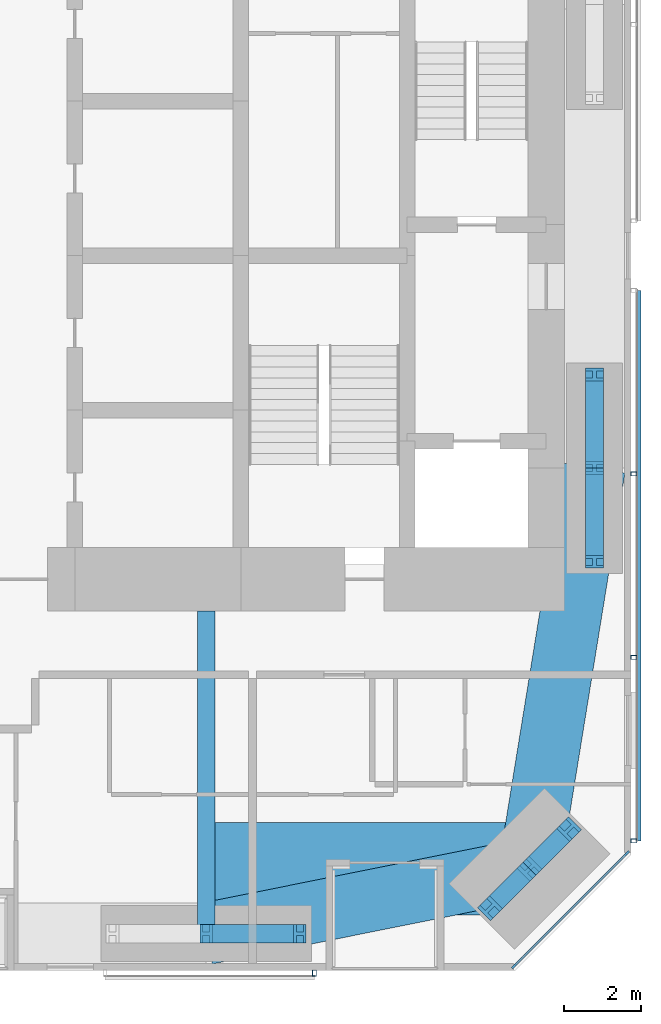
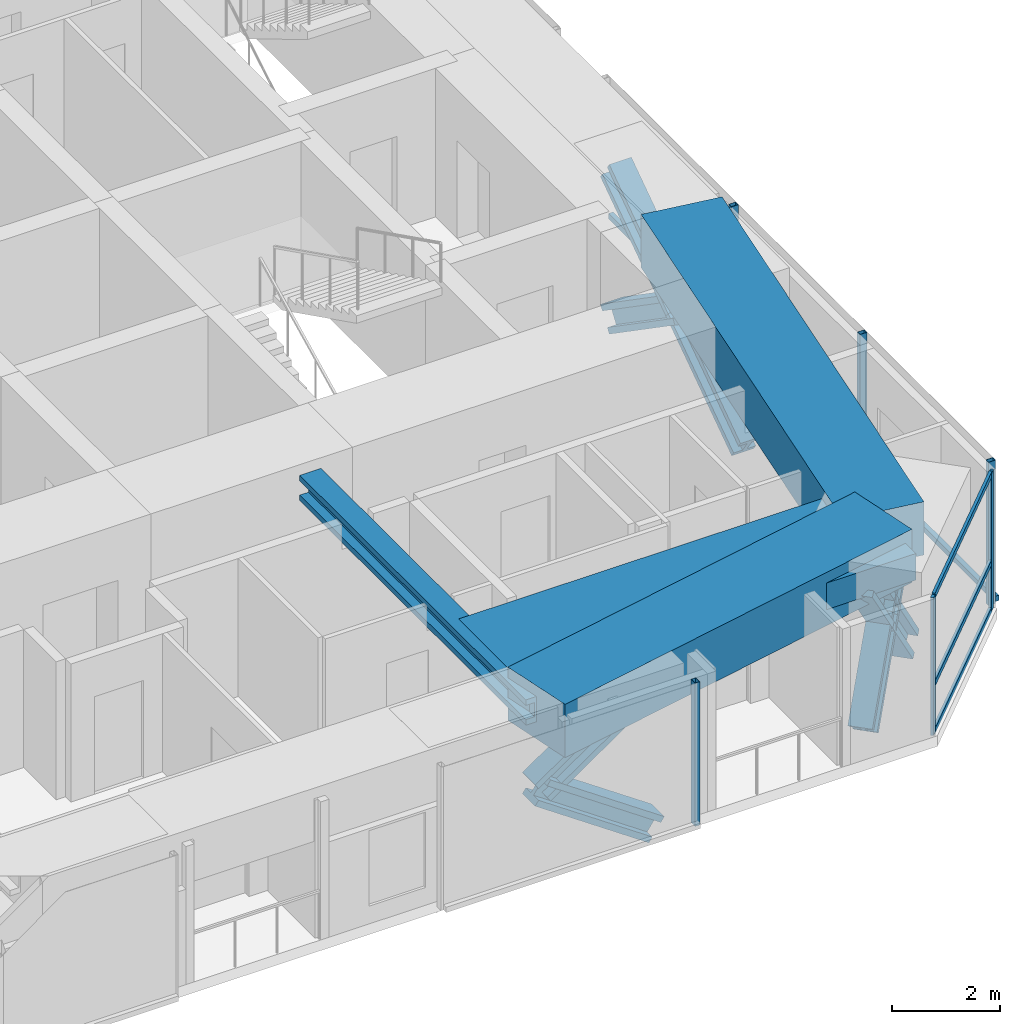
# One storey, part 8 of 23: 20 members, 4 beams, 3 elements without a shape of their own.
"""IFC4 building model written with IfcOpenShell, lengths in metres."""

from ifc_helpers import new_model, si_unit, direction, frame, origin, origin_2d, place, context, subcontext, project, spatial, rectangle, hollow_rectangle, i_section, extrude, material, material_profile, profile_set, type_object, element, aggregate, save


model = new_model("IFC4")

# Units and contexts
model_context = context("Model", 3, precision=1e-05, world=origin(), true_north=direction((0.0, 1.0)))
body_context = subcontext(model_context, "Body", "Model", "MODEL_VIEW")
ifc_project = project(units=[si_unit("LENGTHUNIT", "METRE"), si_unit("AREAUNIT", "SQUARE_METRE"), si_unit("VOLUMEUNIT", "CUBIC_METRE"), si_unit("PLANEANGLEUNIT", "RADIAN"), si_unit("MASSUNIT", "GRAM", prefix="KILO")], contexts=[model_context])

# Site, building, storey
site_placement = place(None, origin())
site = spatial("IfcSite", under=ifc_project, at=site_placement, CompositionType="ELEMENT")
building_placement = place(site_placement, origin())
building = spatial("IfcBuilding", under=site, at=building_placement, Name="Jalousie Tower", CompositionType="ELEMENT")
storey_placement = place(building_placement, frame((0.0, 0.0, 37.75)))
storey = spatial("IfcBuildingStorey", under=building, at=storey_placement, Name="L09", CompositionType="ELEMENT", Elevation=37.75)

# Curtain wall, members
ifc_material_1 = material(Name="Aluminium curtain wall", Category="aluminium")
curtain_wall_type_1 = type_object("IfcCurtainWallType", Name="CORNER WINDOW WALL", PredefinedType="USERDEFINED", material=ifc_material_1)
curtain_wall_1_placement = place(storey_placement, origin())
curtain_wall_1 = element("IfcCurtainWall", 1, at=curtain_wall_1_placement, inside=storey, type_object=curtain_wall_type_1, Name="Corner Window Wall L09 2", ObjectType="CORNER WINDOW WALL", PredefinedType="USERDEFINED")
ifc_material_2 = material(Name="Aluminium mullion", Category="aluminium")
ifc_material_profile_1 = material_profile(ifc_material_2, rectangle(XDim=0.06005859375, YDim=0.14990234375, at=origin_2d()), Name="MULLION 60x150")
ifc_profile_set_1 = profile_set([ifc_material_profile_1], Name="Aluminium mullion")
member_type_1 = type_object("IfcMemberType", Name="CORNER WINDOW WALL MULLION", PredefinedType="MULLION", material=ifc_profile_set_1)
member_1_placement = place(storey_placement, frame((42.969970703125, 0.108642578125, 0.0), z_axis=(0.0, 0.0, 1.0), x_axis=(-0.707106781187, 0.707106781187, 0.0)))
member_1 = element("IfcMember", 2, at=member_1_placement, type_object=member_type_1, Name="CW-C mullion 1", PredefinedType="MULLION", context=body_context, shape_type="SweptSolid", body=[
    extrude(rectangle(XDim=0.06005859375, YDim=0.14990234375, at=origin_2d()), origin(), (0.0, 0.0, 1.0), 3.110107421875),
])
member_2_placement = place(storey_placement, frame((45.891357421875, 3.030029296875, 0.0), z_axis=(0.0, 0.0, 1.0), x_axis=(-0.707106781187, 0.707106781187, 0.0)))
member_2 = element("IfcMember", 3, at=member_2_placement, type_object=member_type_1, Name="CW-C mullion 2", PredefinedType="MULLION", context=body_context, shape_type="SweptSolid", body=[
    extrude(rectangle(XDim=0.06005859375, YDim=0.14990234375, at=origin_2d()), origin(), (0.0, 0.0, 1.0), 3.110107421875),
])
ifc_material_3 = material(Name="Aluminium transom", Category="aluminium")
ifc_material_profile_2 = material_profile(ifc_material_3, rectangle(XDim=0.06005859375, YDim=0.1201171875, at=origin_2d()), Name="TRANSOM 60x120")
ifc_profile_set_2 = profile_set([ifc_material_profile_2], Name="Aluminium transom")
member_type_2 = type_object("IfcMemberType", Name="CORNER WINDOW WALL TRANSOM", PredefinedType="USERDEFINED", material=ifc_profile_set_2)
member_3_placement = place(storey_placement, frame((42.9912109375, 0.1298828125, 0.030029296875), z_axis=(0.707106781187, 0.707106781187, 0.0), x_axis=(-0.707106781187, 0.707106781187, 0.0)))
member_3 = element("IfcMember", 4, at=member_3_placement, type_object=member_type_2, Name="CW-C transom 1.1", ObjectType="TRANSOM", PredefinedType="USERDEFINED", context=body_context, shape_type="SweptSolid", body=[
    extrude(rectangle(XDim=0.06005859375, YDim=0.1201171875, at=origin_2d()), origin(), (0.0, 0.0, 1.0), 4.0712890625),
])
member_4_placement = place(storey_placement, frame((42.9912109375, 0.1298828125, 1.10009765625), z_axis=(0.707106781187, 0.707106781187, 0.0), x_axis=(-0.707106781187, 0.707106781187, 0.0)))
member_4 = element("IfcMember", 5, at=member_4_placement, type_object=member_type_2, Name="CW-C transom 1.2", ObjectType="TRANSOM", PredefinedType="USERDEFINED", context=body_context, shape_type="SweptSolid", body=[
    extrude(rectangle(XDim=0.06005859375, YDim=0.1201171875, at=origin_2d()), origin(), (0.0, 0.0, 1.0), 4.0712890625),
])
member_5_placement = place(storey_placement, frame((42.9912109375, 0.1298828125, 3.080078125), z_axis=(0.707106781187, 0.707106781187, 0.0), x_axis=(-0.707106781187, 0.707106781187, 0.0)))
member_5 = element("IfcMember", 6, at=member_5_placement, type_object=member_type_2, Name="CW-C transom 1.3", ObjectType="TRANSOM", PredefinedType="USERDEFINED", context=body_context, shape_type="SweptSolid", body=[
    extrude(rectangle(XDim=0.06005859375, YDim=0.1201171875, at=origin_2d()), origin(), (0.0, 0.0, 1.0), 4.0712890625),
])
aggregate(curtain_wall_1, [member_1, member_2, member_3, member_4, member_5])

# Beam
ifc_material_4 = material(Name="Steel ASTM A992 Grade 50", Category="steel")
ifc_material_profile_3 = material_profile(ifc_material_4, i_section(OverallWidth=0.45458984375, OverallDepth=0.569091796875, WebThickness=0.077880859375, FlangeThickness=0.124755859375, at=origin_2d()), Name="W14X730")
ifc_profile_set_3 = profile_set([ifc_material_profile_3], Name="Steel ASTM A992 Grade 50")
beam_type_1 = type_object("IfcBeamType", Name="LEAN COLLECTOR W14X730", PredefinedType="BEAM", material=ifc_profile_set_3)
beam_1_placement = place(storey_placement, frame((35.0, 0.949951171875, 2.825439453125), z_axis=(0.0, 1.0, 0.0), x_axis=(-1.0, 0.0, 0.0)))
element("IfcBeam", 7, at=beam_1_placement, inside=storey, type_object=beam_type_1, Name="Lean collector under L10", PredefinedType="BEAM", context=body_context, shape_type="SweptSolid", body=[
    extrude(i_section(OverallWidth=0.45458984375, OverallDepth=0.569091796875, WebThickness=0.077880859375, FlangeThickness=0.124755859375, at=origin_2d()), origin(), (0.0, 0.0, 1.0), 8.35009765625),
])

# Members
ifc_material_5 = material(Name="Steel ASTM A992 Grade 50", Category="steel")
ifc_material_profile_4 = material_profile(ifc_material_5, i_section(OverallWidth=0.472412109375, OverallDepth=0.5791015625, WebThickness=0.094970703125, FlangeThickness=0.1298828125, at=origin_2d()), Name="W14X808")
ifc_profile_set_4 = profile_set([ifc_material_profile_4], Name="Steel ASTM A992 Grade 50")
member_type_3 = type_object("IfcMemberType", Name="PERIMETER BRACE W14X808", PredefinedType="BRACE", material=ifc_profile_set_4)
for number, where, z_axis, x_axis, name in (
    (8, (35.0, 0.949951171875, 1.074951171875), (0.822800062329, 0.0, 0.568330940062), (0.0, 1.0, 0.0), "Perimeter brace 04 L09 part 2"),
    (9, (37.425048828125, 0.949951171875, -0.60009765625), (-0.822800062329, 0.0, 0.568330940062), (0.0, -1.0, 0.0), "Perimeter brace 04 L09 part 3"),
):
    element("IfcMember", number, at=place(storey_placement, frame(where, z_axis=z_axis, x_axis=x_axis)), inside=storey, type_object=member_type_3, Name=name, PredefinedType="BRACE", context=body_context, shape_type="SweptSolid", body=[
        extrude(i_section(OverallWidth=0.472412109375, OverallDepth=0.5791015625, WebThickness=0.094970703125, FlangeThickness=0.1298828125, at=origin_2d()), origin(), (0.0, 0.0, 1.0), 2.947265625),
    ])
for number, where, z_axis, x_axis, name in (
    (10, (42.34326171875, 1.606201171875, -0.60009765625), (0.462839993852, 0.462729793854, 0.756082189957), (-0.707022586774, 0.707190965575, 0.0), "Perimeter brace 05 L09 part 1"),
    (11, (43.36865234375, 2.63134765625, 1.074951171875), (0.462729793854, 0.462839993852, 0.756082189957), (-0.707190965575, 0.707022586774, 0.0), "Perimeter brace 05 L09 part 2"),
    (12, (44.393798828125, 3.65673828125, -0.60009765625), (-0.462729793854, -0.462839993852, 0.756082189957), (0.707190965575, -0.707022586774, 0.0), "Perimeter brace 05 L09 part 3"),
    (13, (43.36865234375, 2.63134765625, 1.074951171875), (-0.462839993852, -0.462729793854, 0.756082189957), (0.707022586774, -0.707190965575, 0.0), "Perimeter brace 05 L09 part 4"),
):
    element("IfcMember", number, at=place(storey_placement, frame(where, z_axis=z_axis, x_axis=x_axis)), inside=storey, type_object=member_type_3, Name=name, PredefinedType="BRACE", context=body_context, shape_type="SweptSolid", body=[
        extrude(i_section(OverallWidth=0.472412109375, OverallDepth=0.5791015625, WebThickness=0.094970703125, FlangeThickness=0.1298828125, at=origin_2d()), origin(), (0.0, 0.0, 1.0), 2.21533203125),
    ])
for number, where, z_axis, x_axis, name in (
    (14, (45.050048828125, 10.574951171875, -0.60009765625), (0.0, 0.822800062329, 0.568330940062), (-1.0, 0.0, 0.0), "Perimeter brace 06 L09 part 1"),
    (15, (45.050048828125, 13.0, 1.074951171875), (0.0, 0.822800062329, 0.568330940062), (-1.0, 0.0, 0.0), "Perimeter brace 06 L09 part 2"),
    (16, (45.050048828125, 15.425048828125, -0.60009765625), (0.0, -0.822800062329, 0.568330940062), (1.0, 0.0, 0.0), "Perimeter brace 06 L09 part 3"),
    (17, (45.050048828125, 13.0, 1.074951171875), (0.0, -0.822800062329, 0.568330940062), (1.0, 0.0, 0.0), "Perimeter brace 06 L09 part 4"),
):
    element("IfcMember", number, at=place(storey_placement, frame(where, z_axis=z_axis, x_axis=x_axis)), inside=storey, type_object=member_type_3, Name=name, PredefinedType="BRACE", context=body_context, shape_type="SweptSolid", body=[
        extrude(i_section(OverallWidth=0.472412109375, OverallDepth=0.5791015625, WebThickness=0.094970703125, FlangeThickness=0.1298828125, at=origin_2d()), origin(), (0.0, 0.0, 1.0), 2.947265625),
    ])

# Beams
ifc_material_6 = material(Name="Concrete f'c 40 MPa", Category="concrete")
ifc_material_profile_5 = material_profile(ifc_material_6, rectangle(XDim=1.60009765625, YDim=1.199951171875, at=origin_2d()), Name="RC 1600x1200")
ifc_profile_set_5 = profile_set([ifc_material_profile_5], Name="Concrete f'c 40 MPa")
beam_type_2 = type_object("IfcBeamType", Name="RC BEAM 1600x1200", PredefinedType="BEAM", material=ifc_profile_set_5)
beam_2_placement = place(storey_placement, frame((35.0, 0.949951171875, 2.75), z_axis=(0.980407585444, 0.196979609107, 0.0), x_axis=(-0.196979609107, 0.980407585444, 0.0)))
element("IfcBeam", 18, at=beam_2_placement, inside=storey, type_object=beam_type_2, Name="Edge band beam 04-05 under L10", PredefinedType="BEAM", context=body_context, shape_type="SweptSolid", body=[
    extrude(rectangle(XDim=1.60009765625, YDim=1.199951171875, at=origin_2d()), origin(), (0.0, 0.0, 1.0), 8.535888671875),
])
beam_3_placement = place(storey_placement, frame((43.36865234375, 2.63134765625, 2.75), z_axis=(0.160070546476, 0.987105577003, 0.0), x_axis=(-0.987105577003, 0.160070546476, 0.0)))
element("IfcBeam", 19, at=beam_3_placement, inside=storey, type_object=beam_type_2, Name="Edge band beam 05-06 under L10", PredefinedType="BEAM", context=body_context, shape_type="SweptSolid", body=[
    extrude(rectangle(XDim=1.60009765625, YDim=1.199951171875, at=origin_2d()), origin(), (0.0, 0.0, 1.0), 10.504150390625),
])
ifc_material_7 = material(Name="Concrete f'c 40 MPa", Category="concrete")
ifc_material_profile_6 = material_profile(ifc_material_7, rectangle(XDim=2.39990234375, YDim=0.60009765625, at=origin_2d()), Name="RC 2400x600")
ifc_profile_set_6 = profile_set([ifc_material_profile_6], Name="Concrete f'c 40 MPa")
beam_type_3 = type_object("IfcBeamType", Name="RC BEAM 2400x600", PredefinedType="BEAM", material=ifc_profile_set_6)
beam_4_placement = place(storey_placement, frame((43.36865234375, 2.63134765625, 2.81005859375), z_axis=(-1.0, 0.0, 0.0), x_axis=(0.0, -1.0, 0.0)))
element("IfcBeam", 20, at=beam_4_placement, inside=storey, type_object=beam_type_3, Name="Floor band beam under L10", PredefinedType="BEAM", context=body_context, shape_type="SweptSolid", body=[
    extrude(rectangle(XDim=2.39990234375, YDim=0.60009765625, at=origin_2d()), origin(), (0.0, 0.0, 1.0), 8.36865234375),
])

# Curtain wall, member
ifc_material_8 = material(Name="Perforated aluminium sheet", Category="aluminium")
curtain_wall_type_2 = type_object("IfcCurtainWallType", Name="SOLAR SCREEN SS-1", PredefinedType="USERDEFINED", material=ifc_material_8)
curtain_wall_2_placement = place(storey_placement, origin())
curtain_wall_2 = element("IfcCurtainWall", 21, at=curtain_wall_2_placement, inside=storey, type_object=curtain_wall_type_2, Name="Solar screen L09", ObjectType="SOLAR SCREEN SS-1", PredefinedType="USERDEFINED")
ifc_material_9 = material(Name="Steel ASTM A500 Grade C", Category="steel")
ifc_material_profile_7 = material_profile(ifc_material_9, hollow_rectangle(XDim=0.1015625, YDim=0.15234375, WallThickness=0.00634765625, at=origin_2d()), Name="HSS6X4X1/4")
ifc_profile_set_7 = profile_set([ifc_material_profile_7], Name="Steel ASTM A500 Grade C")
member_type_4 = type_object("IfcMemberType", Name="SOLAR SCREEN SS-1 MULLION", PredefinedType="MULLION", material=ifc_profile_set_7)
member_6_placement = place(storey_placement, frame((37.800048828125, -0.0712890625, -0.1201171875), z_axis=(0.0, 0.0, 1.0), x_axis=(1.0, 0.0, 0.0)))
member_6 = element("IfcMember", 22, at=member_6_placement, type_object=member_type_4, Name="SS1 post 2", PredefinedType="MULLION", context=body_context, shape_type="SweptSolid", body=[
    extrude(hollow_rectangle(XDim=0.1015625, YDim=0.15234375, WallThickness=0.00634765625, at=origin_2d()), origin(), (0.0, 0.0, 1.0), 3.230224609375),
])
aggregate(curtain_wall_2, [member_6])

# Curtain wall, members
curtain_wall_3_placement = place(storey_placement, origin())
curtain_wall_3 = element("IfcCurtainWall", 23, at=curtain_wall_3_placement, inside=storey, type_object=curtain_wall_type_2, Name="Solar screen L09", ObjectType="SOLAR SCREEN SS-1", PredefinedType="USERDEFINED")
member_7_placement = place(storey_placement, frame((46.0712890625, 3.351318359375, -0.1201171875), z_axis=(0.0, 0.0, 1.0), x_axis=(0.0, 1.0, 0.0)))
member_7 = element("IfcMember", 24, at=member_7_placement, type_object=member_type_4, Name="SS1 post 1", PredefinedType="MULLION", context=body_context, shape_type="SweptSolid", body=[
    extrude(hollow_rectangle(XDim=0.1015625, YDim=0.15234375, WallThickness=0.00634765625, at=origin_2d()), origin(), (0.0, 0.0, 1.0), 3.230224609375),
])
member_8_placement = place(storey_placement, frame((46.0712890625, 8.100830078125, -0.1201171875), z_axis=(0.0, 0.0, 1.0), x_axis=(0.0, 1.0, 0.0)))
member_8 = element("IfcMember", 25, at=member_8_placement, type_object=member_type_4, Name="SS1 post 2", PredefinedType="MULLION", context=body_context, shape_type="SweptSolid", body=[
    extrude(hollow_rectangle(XDim=0.1015625, YDim=0.15234375, WallThickness=0.00634765625, at=origin_2d()), origin(), (0.0, 0.0, 1.0), 3.230224609375),
])
member_9_placement = place(storey_placement, frame((46.0712890625, 12.850341796875, -0.1201171875), z_axis=(0.0, 0.0, 1.0), x_axis=(0.0, 1.0, 0.0)))
member_9 = element("IfcMember", 26, at=member_9_placement, type_object=member_type_4, Name="SS1 post 3", PredefinedType="MULLION", context=body_context, shape_type="SweptSolid", body=[
    extrude(hollow_rectangle(XDim=0.1015625, YDim=0.15234375, WallThickness=0.00634765625, at=origin_2d()), origin(), (0.0, 0.0, 1.0), 3.230224609375),
])
ifc_material_10 = material(Name="Extruded aluminium screen rail", Category="aluminium")
ifc_material_profile_8 = material_profile(ifc_material_10, rectangle(XDim=0.1015625, YDim=0.1201171875, at=origin_2d()), Name="RAIL 102x120")
ifc_profile_set_8 = profile_set([ifc_material_profile_8], Name="Extruded aluminium screen rail")
member_type_5 = type_object("IfcMemberType", Name="SOLAR SCREEN SS-1 TRANSOM", PredefinedType="USERDEFINED", material=ifc_profile_set_8)
member_10_placement = place(storey_placement, frame((46.1982421875, 3.351318359375, -0.06005859375), z_axis=(0.0, 1.0, 0.0), x_axis=(-1.0, 0.0, 0.0)))
member_10 = element("IfcMember", 27, at=member_10_placement, type_object=member_type_5, Name="SS1 rail", ObjectType="TRANSOM", PredefinedType="USERDEFINED", context=body_context, shape_type="SweptSolid", body=[
    extrude(rectangle(XDim=0.1015625, YDim=0.1201171875, at=origin_2d()), origin(), (0.0, 0.0, 1.0), 14.248779296875),
])
aggregate(curtain_wall_3, [member_7, member_8, member_9, member_10])

save(model, "model.ifc")
